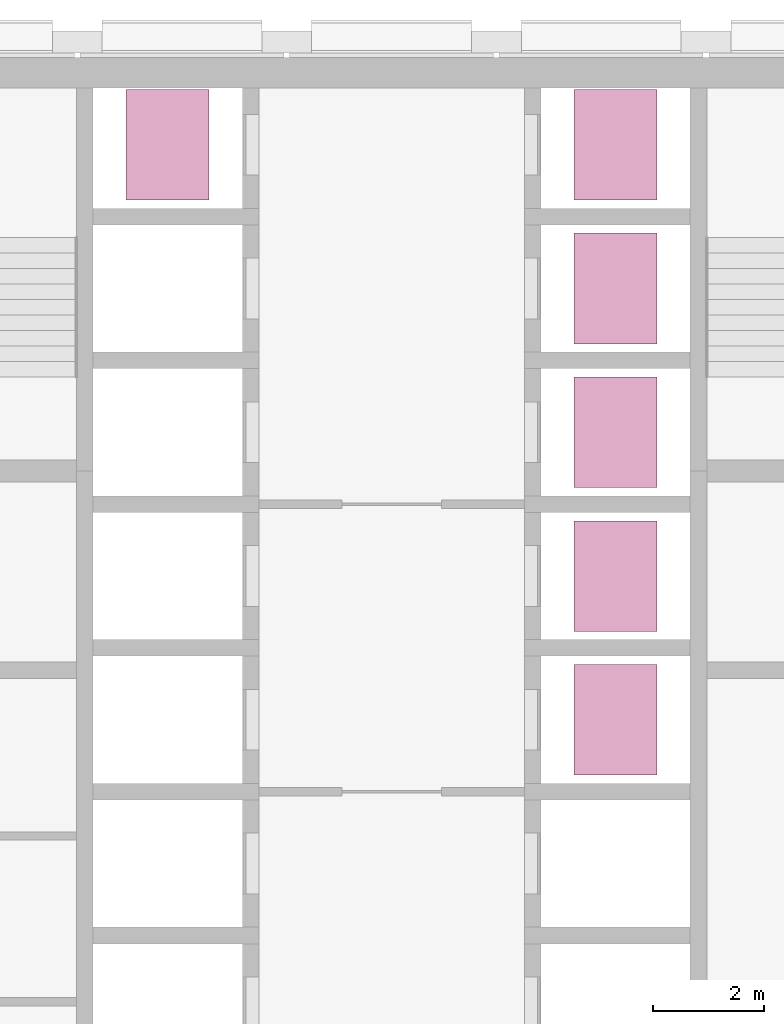
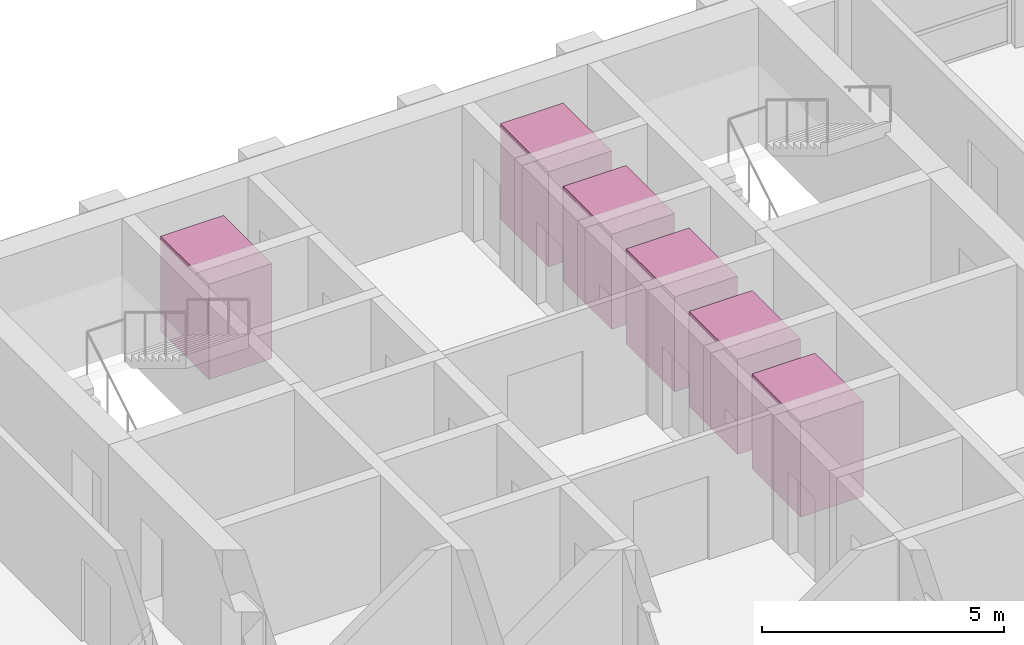
# One storey, part 19 of 19: 6 transport elements.
"""IFC4 building model written with IfcOpenShell, lengths in metres."""

from ifc_helpers import new_model, si_unit, direction, frame, origin, origin_2d, place, context, subcontext, project, spatial, rectangle, extrude, material, type_object, element, save


model = new_model("IFC4")

# Units and contexts
model_context = context("Model", 3, precision=1e-05, world=origin(), true_north=direction((0.0, 1.0)))
body_context = subcontext(model_context, "Body", "Model", "MODEL_VIEW")
ifc_project = project(units=[si_unit("LENGTHUNIT", "METRE"), si_unit("AREAUNIT", "SQUARE_METRE"), si_unit("VOLUMEUNIT", "CUBIC_METRE"), si_unit("PLANEANGLEUNIT", "RADIAN"), si_unit("MASSUNIT", "GRAM", prefix="KILO")], contexts=[model_context])

# Site, building, storey
site_placement = place(None, origin())
site = spatial("IfcSite", under=ifc_project, at=site_placement, CompositionType="ELEMENT")
building_placement = place(site_placement, origin())
building = spatial("IfcBuilding", under=site, at=building_placement, Name="Ludao Terraces", CompositionType="ELEMENT")
storey_placement = place(building_placement, frame((0.0, 0.0, 133.89990234375)))
storey = spatial("IfcBuildingStorey", under=building, at=storey_placement, Name="L36", CompositionType="ELEMENT", Elevation=133.89990234375)

# Transport elements
ifc_material = material(Name="Stainless steel 304", Category="steel")
transport_element_type = type_object("IfcTransportElementType", Name="INT Passenger lift car", PredefinedType="ELEVATOR", material=ifc_material)
for number, where, z_axis, x_axis, name in (
    (1, (80.949951171875, 83.199951171875, 0.000244140625), (0.0, 0.0, 1.0), (1.0, 0.0, 0.0), "LIFT LB6"),
    (2, (89.050048828125, 72.800048828125, 0.000244140625), (0.0, 0.0, 1.0), (1.0, 0.0, 0.0), "LIFT LB1"),
    (3, (89.050048828125, 75.39990234375, 0.000244140625), (0.0, 0.0, 1.0), (1.0, 0.0, 0.0), "LIFT LB2"),
    (4, (89.050048828125, 78.0, 0.000244140625), (0.0, 0.0, 1.0), (1.0, 0.0, 0.0), "LIFT LB3"),
    (5, (89.050048828125, 80.60009765625, 0.000244140625), (0.0, 0.0, 1.0), (1.0, 0.0, 0.0), "LIFT LB4"),
    (6, (89.050048828125, 83.199951171875, 0.000244140625), (0.0, 0.0, 1.0), (1.0, 0.0, 0.0), "LIFT LB5"),
):
    element("IfcTransportElement", number, at=place(storey_placement, frame(where, z_axis=z_axis, x_axis=x_axis)), inside=storey, type_object=transport_element_type, Name=name, PredefinedType="ELEVATOR", context=body_context, shape_type="SweptSolid", body=[
        extrude(rectangle(XDim=1.5, YDim=2.0, at=origin_2d()), origin(), (0.0, 0.0, 1.0), 2.39990234375),
    ])

save(model, "model.ifc")
